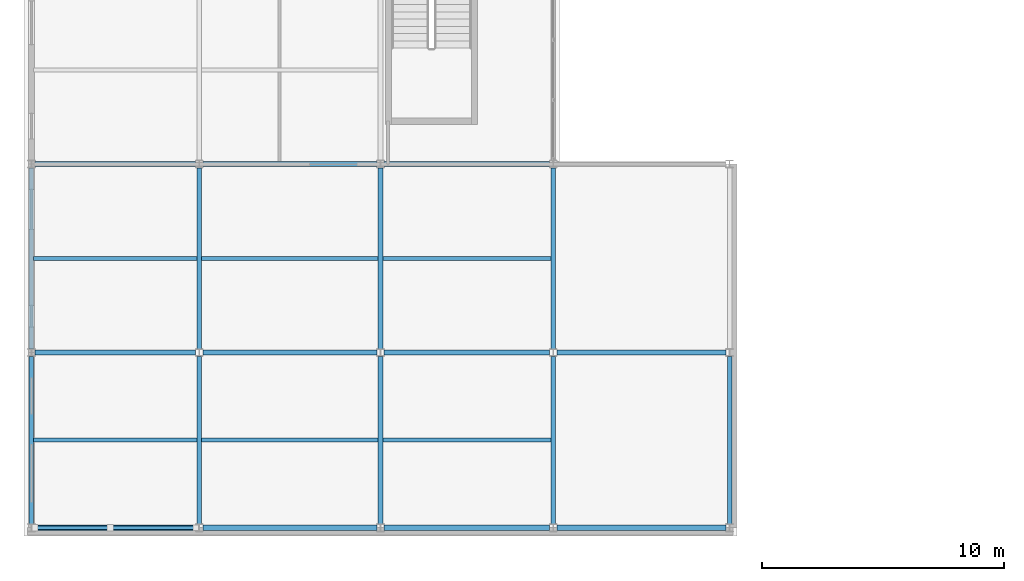
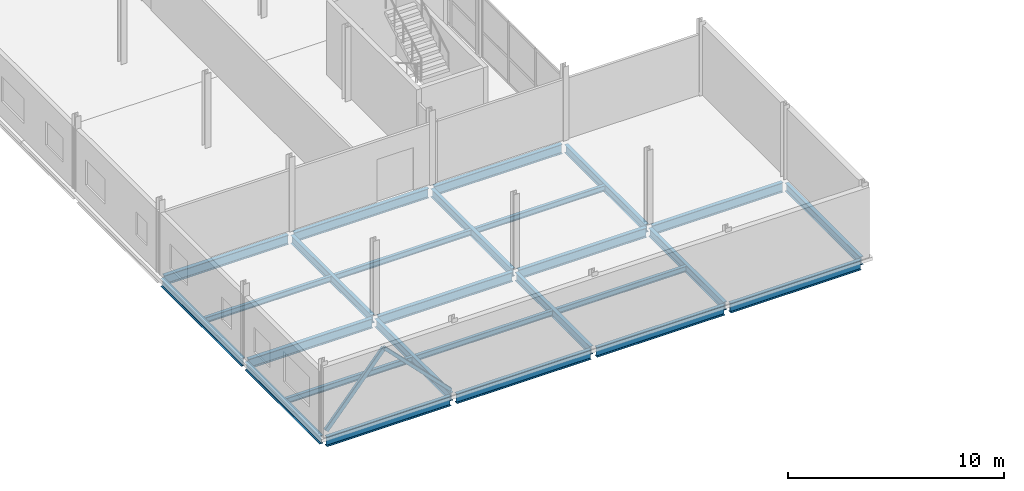
# One storey, part 4 of 65: 26 beams, 2 members.
"""IFC4 building model written with IfcOpenShell, lengths in metres."""

from ifc_helpers import new_model, si_unit, direction, frame, origin, origin_2d, place, context, subcontext, project, spatial, hollow_rectangle, i_section, extrude, material, material_profile, profile_set, type_object, element, save


model = new_model("IFC4")

# Units and contexts
model_context = context("Model", 3, precision=1e-05, world=origin(), true_north=direction((0.0, 1.0)))
body_context = subcontext(model_context, "Body", "Model", "MODEL_VIEW")
ifc_project = project(units=[si_unit("LENGTHUNIT", "METRE"), si_unit("AREAUNIT", "SQUARE_METRE"), si_unit("VOLUMEUNIT", "CUBIC_METRE"), si_unit("PLANEANGLEUNIT", "RADIAN"), si_unit("MASSUNIT", "GRAM", prefix="KILO")], contexts=[model_context])

# Site, building, storey
site_placement = place(None, origin())
site = spatial("IfcSite", under=ifc_project, at=site_placement, CompositionType="ELEMENT")
building_placement = place(site_placement, origin())
building = spatial("IfcBuilding", under=site, at=building_placement, Name="Quillay Park Conservatory", CompositionType="ELEMENT")
storey_placement = place(building_placement, frame((0.0, 0.0, 14.10009765625)))
storey = spatial("IfcBuildingStorey", under=building, at=storey_placement, Name="L03", CompositionType="ELEMENT", Elevation=14.10009765625)

# Beams
ifc_material_1 = material(Name="Steel ASTM A992 Grade 50", Category="steel")
ifc_material_profile_1 = material_profile(ifc_material_1, i_section(OverallWidth=0.166015625, OverallDepth=0.31298828125, WebThickness=0.006591796875, FlangeThickness=0.01123046875, FilletRadius=0.010009765625, at=origin_2d()), Name="W310x45")
ifc_profile_set_1 = profile_set([ifc_material_profile_1], Name="Steel ASTM A992 Grade 50")
beam_type_1 = type_object("IfcBeamType", Name="COMPOSITE FLOOR JOIST W310 X45", PredefinedType="JOIST", material=ifc_profile_set_1)
beam_1_placement = place(storey_placement, frame((0.64599609375, 4.175048828125, -0.341552734375), z_axis=(1.0, 0.0, 0.0), x_axis=(0.0, 1.0, 0.0)))
element("IfcBeam", 1, at=beam_1_placement, inside=storey, type_object=beam_type_1, Name="L03 beam BM-V3J-1453", PredefinedType="JOIST", context=body_context, shape_type="SweptSolid", body=[
    extrude(i_section(OverallWidth=0.166015625, OverallDepth=0.31298828125, WebThickness=0.006591796875, FlangeThickness=0.01123046875, FilletRadius=0.010009765625, at=origin_2d()), origin(), (0.0, 0.0, 1.0), 6.758056640625),
])
beam_2_placement = place(storey_placement, frame((7.595947265625, 4.175048828125, -0.341552734375), z_axis=(1.0, 0.0, 0.0), x_axis=(0.0, 1.0, 0.0)))
element("IfcBeam", 2, at=beam_2_placement, inside=storey, type_object=beam_type_1, Name="L03 beam BM-V3J-1454", PredefinedType="JOIST", context=body_context, shape_type="SweptSolid", body=[
    extrude(i_section(OverallWidth=0.166015625, OverallDepth=0.31298828125, WebThickness=0.006591796875, FlangeThickness=0.01123046875, FilletRadius=0.010009765625, at=origin_2d()), origin(), (0.0, 0.0, 1.0), 7.30810546875),
])
beam_3_placement = place(storey_placement, frame((15.095947265625, 4.175048828125, -0.341552734375), z_axis=(1.0, 0.0, 0.0), x_axis=(0.0, 1.0, 0.0)))
element("IfcBeam", 3, at=beam_3_placement, inside=storey, type_object=beam_type_1, Name="L03 beam BM-V3J-1455", PredefinedType="JOIST", context=body_context, shape_type="SweptSolid", body=[
    extrude(i_section(OverallWidth=0.166015625, OverallDepth=0.31298828125, WebThickness=0.006591796875, FlangeThickness=0.01123046875, FilletRadius=0.010009765625, at=origin_2d()), origin(), (0.0, 0.0, 1.0), 6.9580078125),
])
beam_4_placement = place(storey_placement, frame((0.64599609375, 11.699951171875, -0.341552734375), z_axis=(1.0, 0.0, 0.0), x_axis=(0.0, 1.0, 0.0)))
element("IfcBeam", 4, at=beam_4_placement, inside=storey, type_object=beam_type_1, Name="L03 beam BM-V3J-1456", PredefinedType="JOIST", context=body_context, shape_type="SweptSolid", body=[
    extrude(i_section(OverallWidth=0.166015625, OverallDepth=0.31298828125, WebThickness=0.006591796875, FlangeThickness=0.01123046875, FilletRadius=0.010009765625, at=origin_2d()), origin(), (0.0, 0.0, 1.0), 6.758056640625),
])
beam_5_placement = place(storey_placement, frame((7.595947265625, 11.699951171875, -0.341552734375), z_axis=(1.0, 0.0, 0.0), x_axis=(0.0, 1.0, 0.0)))
element("IfcBeam", 5, at=beam_5_placement, inside=storey, type_object=beam_type_1, Name="L03 beam BM-V3J-1457", PredefinedType="JOIST", context=body_context, shape_type="SweptSolid", body=[
    extrude(i_section(OverallWidth=0.166015625, OverallDepth=0.31298828125, WebThickness=0.006591796875, FlangeThickness=0.01123046875, FilletRadius=0.010009765625, at=origin_2d()), origin(), (0.0, 0.0, 1.0), 7.30810546875),
])
beam_6_placement = place(storey_placement, frame((15.095947265625, 11.699951171875, -0.341552734375), z_axis=(1.0, 0.0, 0.0), x_axis=(0.0, 1.0, 0.0)))
element("IfcBeam", 6, at=beam_6_placement, inside=storey, type_object=beam_type_1, Name="L03 beam BM-V3J-1458", PredefinedType="JOIST", context=body_context, shape_type="SweptSolid", body=[
    extrude(i_section(OverallWidth=0.166015625, OverallDepth=0.31298828125, WebThickness=0.006591796875, FlangeThickness=0.01123046875, FilletRadius=0.010009765625, at=origin_2d()), origin(), (0.0, 0.0, 1.0), 6.9580078125),
])
ifc_material_2 = material(Name="Steel ASTM A992 Grade 50", Category="steel")
ifc_material_profile_2 = material_profile(ifc_material_2, i_section(OverallWidth=0.19189453125, OverallDepth=0.462890625, WebThickness=0.010498046875, FlangeThickness=0.017578125, FilletRadius=0.012939453125, at=origin_2d()), Name="W460x89")
ifc_profile_set_2 = profile_set([ifc_material_profile_2], Name="Steel ASTM A992 Grade 50")
beam_type_2 = type_object("IfcBeamType", Name="PRIMARY FLOOR GIRDER W460 X89", PredefinedType="BEAM", material=ifc_profile_set_2)
beam_7_placement = place(storey_placement, frame((0.550048828125, 0.70703125, -0.41650390625), z_axis=(0.0, 1.0, 0.0), x_axis=(-1.0, 0.0, 0.0)))
element("IfcBeam", 7, at=beam_7_placement, inside=storey, type_object=beam_type_2, Name="L03 beam BM-V3Y-1423", PredefinedType="BEAM", context=body_context, shape_type="SweptSolid", body=[
    extrude(i_section(OverallWidth=0.19189453125, OverallDepth=0.462890625, WebThickness=0.010498046875, FlangeThickness=0.017578125, FilletRadius=0.012939453125, at=origin_2d()), origin(), (0.0, 0.0, 1.0), 6.93603515625),
])
beam_8_placement = place(storey_placement, frame((0.550048828125, 7.95703125, -0.41650390625), z_axis=(0.0, 1.0, 0.0), x_axis=(-1.0, 0.0, 0.0)))
element("IfcBeam", 8, at=beam_8_placement, inside=storey, type_object=beam_type_2, Name="L03 beam BM-V3Y-1424", PredefinedType="BEAM", context=body_context, shape_type="SweptSolid", body=[
    extrude(i_section(OverallWidth=0.19189453125, OverallDepth=0.462890625, WebThickness=0.010498046875, FlangeThickness=0.017578125, FilletRadius=0.012939453125, at=origin_2d()), origin(), (0.0, 0.0, 1.0), 7.486083984375),
])
beam_9_placement = place(storey_placement, frame((7.5, 0.70703125, -0.41650390625), z_axis=(0.0, 1.0, 0.0), x_axis=(-1.0, 0.0, 0.0)))
element("IfcBeam", 9, at=beam_9_placement, inside=storey, type_object=beam_type_2, Name="L03 beam BM-V3Y-1430", PredefinedType="BEAM", context=body_context, shape_type="SweptSolid", body=[
    extrude(i_section(OverallWidth=0.19189453125, OverallDepth=0.462890625, WebThickness=0.010498046875, FlangeThickness=0.017578125, FilletRadius=0.012939453125, at=origin_2d()), origin(), (0.0, 0.0, 1.0), 6.93603515625),
])
beam_10_placement = place(storey_placement, frame((7.5, 7.95703125, -0.41650390625), z_axis=(0.0, 1.0, 0.0), x_axis=(-1.0, 0.0, 0.0)))
element("IfcBeam", 10, at=beam_10_placement, inside=storey, type_object=beam_type_2, Name="L03 beam BM-V3Y-1431", PredefinedType="BEAM", context=body_context, shape_type="SweptSolid", body=[
    extrude(i_section(OverallWidth=0.19189453125, OverallDepth=0.462890625, WebThickness=0.010498046875, FlangeThickness=0.017578125, FilletRadius=0.012939453125, at=origin_2d()), origin(), (0.0, 0.0, 1.0), 7.486083984375),
])
beam_11_placement = place(storey_placement, frame((15.0, 0.70703125, -0.41650390625), z_axis=(0.0, 1.0, 0.0), x_axis=(-1.0, 0.0, 0.0)))
element("IfcBeam", 11, at=beam_11_placement, inside=storey, type_object=beam_type_2, Name="L03 beam BM-V3Y-1437", PredefinedType="BEAM", context=body_context, shape_type="SweptSolid", body=[
    extrude(i_section(OverallWidth=0.19189453125, OverallDepth=0.462890625, WebThickness=0.010498046875, FlangeThickness=0.017578125, FilletRadius=0.012939453125, at=origin_2d()), origin(), (0.0, 0.0, 1.0), 6.93603515625),
])
beam_12_placement = place(storey_placement, frame((15.0, 7.95703125, -0.41650390625), z_axis=(0.0, 1.0, 0.0), x_axis=(-1.0, 0.0, 0.0)))
element("IfcBeam", 12, at=beam_12_placement, inside=storey, type_object=beam_type_2, Name="L03 beam BM-V3Y-1438", PredefinedType="BEAM", context=body_context, shape_type="SweptSolid", body=[
    extrude(i_section(OverallWidth=0.19189453125, OverallDepth=0.462890625, WebThickness=0.010498046875, FlangeThickness=0.017578125, FilletRadius=0.012939453125, at=origin_2d()), origin(), (0.0, 0.0, 1.0), 7.486083984375),
])
beam_13_placement = place(storey_placement, frame((22.14990234375, 0.70703125, -0.41650390625), z_axis=(0.0, 1.0, 0.0), x_axis=(-1.0, 0.0, 0.0)))
element("IfcBeam", 13, at=beam_13_placement, inside=storey, type_object=beam_type_2, Name="L03 beam BM-V3Y-1444", PredefinedType="BEAM", context=body_context, shape_type="SweptSolid", body=[
    extrude(i_section(OverallWidth=0.19189453125, OverallDepth=0.462890625, WebThickness=0.010498046875, FlangeThickness=0.017578125, FilletRadius=0.012939453125, at=origin_2d()), origin(), (0.0, 0.0, 1.0), 6.93603515625),
])
beam_14_placement = place(storey_placement, frame((22.14990234375, 7.95703125, -0.41650390625), z_axis=(0.0, 1.0, 0.0), x_axis=(-1.0, 0.0, 0.0)))
element("IfcBeam", 14, at=beam_14_placement, inside=storey, type_object=beam_type_2, Name="L03 beam BM-V3Y-1445", PredefinedType="BEAM", context=body_context, shape_type="SweptSolid", body=[
    extrude(i_section(OverallWidth=0.19189453125, OverallDepth=0.462890625, WebThickness=0.010498046875, FlangeThickness=0.017578125, FilletRadius=0.012939453125, at=origin_2d()), origin(), (0.0, 0.0, 1.0), 7.486083984375),
])
beam_15_placement = place(storey_placement, frame((29.449951171875, 0.70703125, -0.41650390625), z_axis=(0.0, 1.0, 0.0), x_axis=(-1.0, 0.0, 0.0)))
element("IfcBeam", 15, at=beam_15_placement, inside=storey, type_object=beam_type_2, Name="L03 beam BM-V3Y-1451", PredefinedType="BEAM", context=body_context, shape_type="SweptSolid", body=[
    extrude(i_section(OverallWidth=0.19189453125, OverallDepth=0.462890625, WebThickness=0.010498046875, FlangeThickness=0.017578125, FilletRadius=0.012939453125, at=origin_2d()), origin(), (0.0, 0.0, 1.0), 6.93603515625),
])
ifc_material_3 = material(Name="Steel ASTM A992 Grade 50", Category="steel")
ifc_material_profile_3 = material_profile(ifc_material_3, i_section(OverallWidth=0.2109375, OverallDepth=0.5390625, WebThickness=0.01171875, FlangeThickness=0.018798828125, FilletRadius=0.013916015625, at=origin_2d()), Name="W530x109")
ifc_profile_set_3 = profile_set([ifc_material_profile_3], Name="Steel ASTM A992 Grade 50")
beam_type_3 = type_object("IfcBeamType", Name="PRIMARY FLOOR GIRDER W530 X109", PredefinedType="BEAM", material=ifc_profile_set_3)
beam_16_placement = place(storey_placement, frame((0.70361328125, 0.550048828125, -0.45458984375), z_axis=(1.0, 0.0, 0.0), x_axis=(0.0, 1.0, 0.0)))
element("IfcBeam", 16, at=beam_16_placement, inside=storey, type_object=beam_type_3, Name="L03 beam BM-V3X-1398", PredefinedType="BEAM", context=body_context, shape_type="SweptSolid", body=[
    extrude(i_section(OverallWidth=0.2109375, OverallDepth=0.5390625, WebThickness=0.01171875, FlangeThickness=0.018798828125, FilletRadius=0.013916015625, at=origin_2d()), origin(), (0.0, 0.0, 1.0), 6.642822265625),
])
beam_17_placement = place(storey_placement, frame((7.653564453125, 0.550048828125, -0.45458984375), z_axis=(1.0, 0.0, 0.0), x_axis=(0.0, 1.0, 0.0)))
element("IfcBeam", 17, at=beam_17_placement, inside=storey, type_object=beam_type_3, Name="L03 beam BM-V3X-1399", PredefinedType="BEAM", context=body_context, shape_type="SweptSolid", body=[
    extrude(i_section(OverallWidth=0.2109375, OverallDepth=0.5390625, WebThickness=0.01171875, FlangeThickness=0.018798828125, FilletRadius=0.013916015625, at=origin_2d()), origin(), (0.0, 0.0, 1.0), 7.19287109375),
])
beam_18_placement = place(storey_placement, frame((15.153564453125, 0.550048828125, -0.45458984375), z_axis=(1.0, 0.0, 0.0), x_axis=(0.0, 1.0, 0.0)))
element("IfcBeam", 18, at=beam_18_placement, inside=storey, type_object=beam_type_3, Name="L03 beam BM-V3X-1400", PredefinedType="BEAM", context=body_context, shape_type="SweptSolid", body=[
    extrude(i_section(OverallWidth=0.2109375, OverallDepth=0.5390625, WebThickness=0.01171875, FlangeThickness=0.018798828125, FilletRadius=0.013916015625, at=origin_2d()), origin(), (0.0, 0.0, 1.0), 6.843017578125),
])
beam_19_placement = place(storey_placement, frame((22.303466796875, 0.550048828125, -0.45458984375), z_axis=(1.0, 0.0, 0.0), x_axis=(0.0, 1.0, 0.0)))
element("IfcBeam", 19, at=beam_19_placement, inside=storey, type_object=beam_type_3, Name="L03 beam BM-V3X-1401", PredefinedType="BEAM", context=body_context, shape_type="SweptSolid", body=[
    extrude(i_section(OverallWidth=0.2109375, OverallDepth=0.5390625, WebThickness=0.01171875, FlangeThickness=0.018798828125, FilletRadius=0.013916015625, at=origin_2d()), origin(), (0.0, 0.0, 1.0), 6.992919921875),
])
beam_20_placement = place(storey_placement, frame((0.70361328125, 7.800048828125, -0.45458984375), z_axis=(1.0, 0.0, 0.0), x_axis=(0.0, 1.0, 0.0)))
element("IfcBeam", 20, at=beam_20_placement, inside=storey, type_object=beam_type_3, Name="L03 beam BM-V3X-1402", PredefinedType="BEAM", context=body_context, shape_type="SweptSolid", body=[
    extrude(i_section(OverallWidth=0.2109375, OverallDepth=0.5390625, WebThickness=0.01171875, FlangeThickness=0.018798828125, FilletRadius=0.013916015625, at=origin_2d()), origin(), (0.0, 0.0, 1.0), 6.642822265625),
])
beam_21_placement = place(storey_placement, frame((7.653564453125, 7.800048828125, -0.45458984375), z_axis=(1.0, 0.0, 0.0), x_axis=(0.0, 1.0, 0.0)))
element("IfcBeam", 21, at=beam_21_placement, inside=storey, type_object=beam_type_3, Name="L03 beam BM-V3X-1403", PredefinedType="BEAM", context=body_context, shape_type="SweptSolid", body=[
    extrude(i_section(OverallWidth=0.2109375, OverallDepth=0.5390625, WebThickness=0.01171875, FlangeThickness=0.018798828125, FilletRadius=0.013916015625, at=origin_2d()), origin(), (0.0, 0.0, 1.0), 7.19287109375),
])
beam_22_placement = place(storey_placement, frame((15.153564453125, 7.800048828125, -0.45458984375), z_axis=(1.0, 0.0, 0.0), x_axis=(0.0, 1.0, 0.0)))
element("IfcBeam", 22, at=beam_22_placement, inside=storey, type_object=beam_type_3, Name="L03 beam BM-V3X-1404", PredefinedType="BEAM", context=body_context, shape_type="SweptSolid", body=[
    extrude(i_section(OverallWidth=0.2109375, OverallDepth=0.5390625, WebThickness=0.01171875, FlangeThickness=0.018798828125, FilletRadius=0.013916015625, at=origin_2d()), origin(), (0.0, 0.0, 1.0), 6.843017578125),
])
beam_23_placement = place(storey_placement, frame((22.303466796875, 7.800048828125, -0.45458984375), z_axis=(1.0, 0.0, 0.0), x_axis=(0.0, 1.0, 0.0)))
element("IfcBeam", 23, at=beam_23_placement, inside=storey, type_object=beam_type_3, Name="L03 beam BM-V3X-1405", PredefinedType="BEAM", context=body_context, shape_type="SweptSolid", body=[
    extrude(i_section(OverallWidth=0.2109375, OverallDepth=0.5390625, WebThickness=0.01171875, FlangeThickness=0.018798828125, FilletRadius=0.013916015625, at=origin_2d()), origin(), (0.0, 0.0, 1.0), 6.992919921875),
])
beam_24_placement = place(storey_placement, frame((0.70361328125, 15.60009765625, -0.45458984375), z_axis=(1.0, 0.0, 0.0), x_axis=(0.0, 1.0, 0.0)))
element("IfcBeam", 24, at=beam_24_placement, inside=storey, type_object=beam_type_3, Name="L03 beam BM-V3X-1406", PredefinedType="BEAM", context=body_context, shape_type="SweptSolid", body=[
    extrude(i_section(OverallWidth=0.2109375, OverallDepth=0.5390625, WebThickness=0.01171875, FlangeThickness=0.018798828125, FilletRadius=0.013916015625, at=origin_2d()), origin(), (0.0, 0.0, 1.0), 6.642822265625),
])
beam_25_placement = place(storey_placement, frame((7.653564453125, 15.60009765625, -0.45458984375), z_axis=(1.0, 0.0, 0.0), x_axis=(0.0, 1.0, 0.0)))
element("IfcBeam", 25, at=beam_25_placement, inside=storey, type_object=beam_type_3, Name="L03 beam BM-V3X-1407", PredefinedType="BEAM", context=body_context, shape_type="SweptSolid", body=[
    extrude(i_section(OverallWidth=0.2109375, OverallDepth=0.5390625, WebThickness=0.01171875, FlangeThickness=0.018798828125, FilletRadius=0.013916015625, at=origin_2d()), origin(), (0.0, 0.0, 1.0), 7.19287109375),
])
beam_26_placement = place(storey_placement, frame((15.153564453125, 15.60009765625, -0.45458984375), z_axis=(1.0, 0.0, 0.0), x_axis=(0.0, 1.0, 0.0)))
element("IfcBeam", 26, at=beam_26_placement, inside=storey, type_object=beam_type_3, Name="L03 beam BM-V3X-1408", PredefinedType="BEAM", context=body_context, shape_type="SweptSolid", body=[
    extrude(i_section(OverallWidth=0.2109375, OverallDepth=0.5390625, WebThickness=0.01171875, FlangeThickness=0.018798828125, FilletRadius=0.013916015625, at=origin_2d()), origin(), (0.0, 0.0, 1.0), 6.843017578125),
])

# Members
ifc_material_4 = material(Name="Steel S355J2H", Category="steel")
ifc_material_profile_4 = material_profile(ifc_material_4, hollow_rectangle(XDim=0.179931640625, YDim=0.179931640625, WallThickness=0.010009765625, InnerFilletRadius=0.010009765625, OuterFilletRadius=0.02001953125, at=origin_2d()), Name="RHS180x180x10")
ifc_profile_set_4 = profile_set([ifc_material_profile_4], Name="Steel S355J2H")
member_type_1 = type_object("IfcMemberType", Name="SEISMIC FRAME BRACE RHS180", PredefinedType="BRACE", material=ifc_profile_set_4)
member_1_placement = place(storey_placement, frame((7.35009765625, 0.550048828125, 0.14990234375), z_axis=(-0.702140050305, 0.0, 0.712038868151), x_axis=(0.0, -1.0, 0.0)))
element("IfcMember", 27, at=member_1_placement, inside=storey, type_object=member_type_1, Name="Gridshell member BR-V3-L03-B", PredefinedType="BRACE", context=body_context, shape_type="SweptSolid", body=[
    extrude(hollow_rectangle(XDim=0.179931640625, YDim=0.179931640625, WallThickness=0.010009765625, InnerFilletRadius=0.010009765625, OuterFilletRadius=0.02001953125, at=origin_2d()), origin(), (0.0, 0.0, 1.0), 5.05615234375),
])
ifc_material_5 = material(Name="Steel S355J2H", Category="steel")
ifc_material_profile_5 = material_profile(ifc_material_5, hollow_rectangle(XDim=0.14990234375, YDim=0.25, WallThickness=0.010009765625, InnerFilletRadius=0.010009765625, OuterFilletRadius=0.02001953125, at=origin_2d()), Name="RHS250x150x10")
ifc_profile_set_5 = profile_set([ifc_material_profile_5], Name="Steel S355J2H")
member_type_2 = type_object("IfcMemberType", Name="SEISMIC FRAME BRACE RHS250", PredefinedType="BRACE", material=ifc_profile_set_5)
member_2_placement = place(storey_placement, frame((0.699951171875, 0.550048828125, 0.14990234375), z_axis=(0.652524774674, 0.0, 0.757767390719), x_axis=(0.0, 1.0, 0.0)))
element("IfcMember", 28, at=member_2_placement, inside=storey, type_object=member_type_2, Name="Gridshell member BR-V3-L03-A", PredefinedType="BRACE", context=body_context, shape_type="SweptSolid", body=[
    extrude(hollow_rectangle(XDim=0.14990234375, YDim=0.25, WallThickness=0.010009765625, InnerFilletRadius=0.010009765625, OuterFilletRadius=0.02001953125, at=origin_2d()), origin(), (0.0, 0.0, 1.0), 4.7509765625),
])

save(model, "model.ifc")
